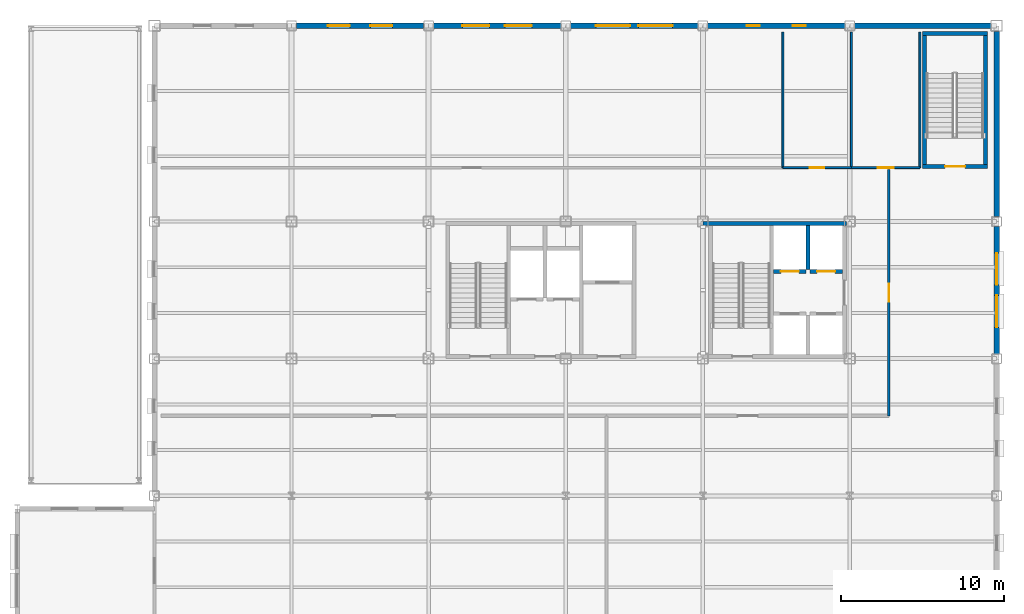
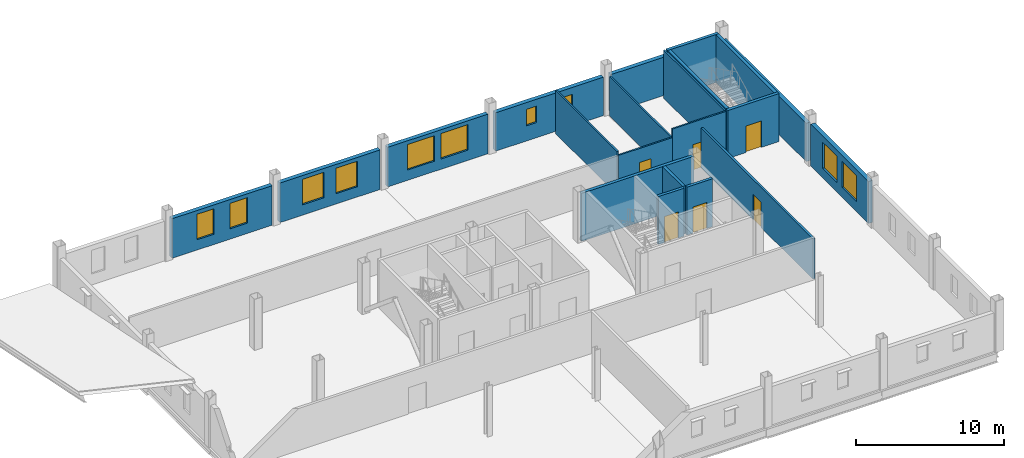
# One storey, part 66 of 75: 21 walls, 10 windows, 6 doors, 16 openings.
"""IFC4 building model written with IfcOpenShell, lengths in metres."""

from ifc_helpers import new_model, si_unit, direction, frame, frame_2d, origin, place, context, subcontext, project, spatial, rectangle, extrude, material, layer, layer_set, type_object, element, fill, save


model = new_model("IFC4")

# Units and contexts
model_context = context("Model", 3, precision=1e-05, world=origin(), true_north=direction((0.0, 1.0)))
body_context = subcontext(model_context, "Body", "Model", "MODEL_VIEW")
ifc_project = project(units=[si_unit("LENGTHUNIT", "METRE"), si_unit("AREAUNIT", "SQUARE_METRE"), si_unit("VOLUMEUNIT", "CUBIC_METRE"), si_unit("PLANEANGLEUNIT", "RADIAN"), si_unit("MASSUNIT", "GRAM", prefix="KILO")], contexts=[model_context])

# Site, building, storey
site_placement = place(None, origin())
site = spatial("IfcSite", under=ifc_project, at=site_placement, CompositionType="ELEMENT")
building_placement = place(site_placement, origin())
building = spatial("IfcBuilding", under=site, at=building_placement, Name="Yukiwa Park Conservatory and Herbarium", CompositionType="ELEMENT")
storey_placement = place(building_placement, frame((0.0, 0.0, 4.800048828125)))
storey = spatial("IfcBuildingStorey", under=building, at=storey_placement, Name="L01", CompositionType="ELEMENT", Elevation=4.800048828125)

# Wall
ifc_material_1 = material(Name="Concrete C40", Category="concrete")
ifc_layer_1 = layer(ifc_material_1, 0.219970703125)
ifc_layer_set_1 = layer_set([ifc_layer_1], Name="Concrete C40")
wall_type_1 = type_object("IfcWallType", Name="WL-CORE-RC220", PredefinedType="SHEAR", material=ifc_layer_set_1)
wall_1_placement = place(storey_placement, frame((156.43994140625, 100.25, 0.0), z_axis=(0.0, 0.0, 1.0), x_axis=(0.0, 1.0, 0.0)))
element("IfcWall", 1, at=wall_1_placement, inside=storey, type_object=wall_type_1, Name="L01 core shear wall 181", PredefinedType="SHEAR", context=body_context, shape_type="SweptSolid", body=[
    extrude(rectangle(XDim=2.699951171875, YDim=0.219970703125, at=frame_2d((1.35009765625, 0.0))), origin(), (0.0, 0.0, 1.0), 3.954833984375),
])

# Wall, opening, door
wall_2_placement = place(storey_placement, frame((154.330078125, 100.139892578125, 0.0), z_axis=(0.0, 0.0, 1.0), x_axis=(1.0, 0.0, 0.0)))
wall_2 = element("IfcWall", 2, at=wall_2_placement, inside=storey, type_object=wall_type_1, Name="L01 core shear wall 182", PredefinedType="SHEAR", context=body_context, shape_type="SweptSolid", body=[
    extrude(rectangle(XDim=2.0, YDim=0.219970703125, at=frame_2d((1.0, 0.0))), origin(), (0.0, 0.0, 1.0), 3.954833984375),
])
opening_1_placement = place(wall_2_placement, frame((0.449951171875, 0.0, 0.0)))
opening_1 = element("IfcOpeningElement", 3, at=opening_1_placement, cuts=wall_2, Name="Opening LD-01", PredefinedType="OPENING", context=body_context, shape_type="SweptSolid", body=[
    extrude(rectangle(XDim=1.10009765625, YDim=2.14990234375, at=frame_2d((0.550048828125, 1.074951171875))), frame((0.0, 0.1201171875, 0.0), z_axis=(0.0, -1.0, 0.0), x_axis=(1.0, 0.0, 0.0)), (0.0, 0.0, 1.0), 0.239990234375),
])
ifc_material_2 = material(Name="Steel Q235B", Category="steel")
door_type_1 = type_object("IfcDoorType", Name="DR-LIFT-LD1100", OperationType="SLIDING_TO_LEFT", PredefinedType="DOOR", material=ifc_material_2)
door_1_placement = place(opening_1_placement, origin())
door_1 = element("IfcDoor", 4, at=door_1_placement, inside=storey, type_object=door_type_1, Name="L01 Passenger Lift LP1 sliding landing door", OperationType="SLIDING_TO_LEFT", OverallHeight=2.14990234375, OverallWidth=1.10009765625, PredefinedType="DOOR", context=body_context, shape_type="SweptSolid", body=[
    extrude(rectangle(XDim=1.10009765625, YDim=2.14990234375, at=frame_2d((0.550048828125, 1.074951171875))), frame((0.0, 0.02490234375, 0.0), z_axis=(0.0, -1.0, 0.0), x_axis=(1.0, 0.0, 0.0)), (0.0, 0.0, 1.0), 0.050048828125),
])
fill(opening_1, door_1)

wall_3_placement = place(storey_placement, frame((156.550048828125, 100.139892578125, 0.0), z_axis=(0.0, 0.0, 1.0), x_axis=(1.0, 0.0, 0.0)))
wall_3 = element("IfcWall", 5, at=wall_3_placement, inside=storey, type_object=wall_type_1, Name="L01 core shear wall 183", PredefinedType="SHEAR", context=body_context, shape_type="SweptSolid", body=[
    extrude(rectangle(XDim=2.0, YDim=0.219970703125, at=frame_2d((1.0, 0.0))), origin(), (0.0, 0.0, 1.0), 3.954833984375),
])
opening_2_placement = place(wall_3_placement, frame((0.449951171875, 0.0, 0.0)))
opening_2 = element("IfcOpeningElement", 6, at=opening_2_placement, cuts=wall_3, Name="Opening LD-01", PredefinedType="OPENING", context=body_context, shape_type="SweptSolid", body=[
    extrude(rectangle(XDim=1.10009765625, YDim=2.14990234375, at=frame_2d((0.550048828125, 1.074951171875))), frame((0.0, 0.1201171875, 0.0), z_axis=(0.0, -1.0, 0.0), x_axis=(1.0, 0.0, 0.0)), (0.0, 0.0, 1.0), 0.239990234375),
])
door_2_placement = place(opening_2_placement, origin())
door_2 = element("IfcDoor", 7, at=door_2_placement, inside=storey, type_object=door_type_1, Name="L01 Passenger Lift LP2 sliding landing door", OperationType="SLIDING_TO_LEFT", OverallHeight=2.14990234375, OverallWidth=1.10009765625, PredefinedType="DOOR", context=body_context, shape_type="SweptSolid", body=[
    extrude(rectangle(XDim=1.10009765625, YDim=2.14990234375, at=frame_2d((0.550048828125, 1.074951171875))), frame((0.0, 0.02490234375, 0.0), z_axis=(0.0, -1.0, 0.0), x_axis=(1.0, 0.0, 0.0)), (0.0, 0.0, 1.0), 0.050048828125),
])
fill(opening_2, door_2)

# Wall
ifc_material_3 = material(Name="Concrete C50", Category="concrete")
ifc_layer_2 = layer(ifc_material_3, 0.239990234375)
ifc_layer_set_2 = layer_set([ifc_layer_2], Name="Concrete C50")
wall_type_2 = type_object("IfcWallType", Name="WL-CORE-RC240", PredefinedType="SHEAR", material=ifc_layer_set_2)
wall_4_placement = place(storey_placement, frame((150.02001953125, 103.070068359375, 0.0), z_axis=(0.0, 0.0, 1.0), x_axis=(1.0, 0.0, 0.0)))
element("IfcWall", 8, at=wall_4_placement, inside=storey, type_object=wall_type_2, Name="L01 core shear wall 177", PredefinedType="SHEAR", context=body_context, shape_type="SweptSolid", body=[
    extrude(rectangle(XDim=8.77001953125, YDim=0.239990234375, at=frame_2d((4.385009765625, 0.0))), origin(), (0.0, 0.0, 1.0), 3.954833984375),
])

# Wall, opening, door
wall_5_placement = place(storey_placement, frame((163.449951171875, 106.580078125, 0.0), z_axis=(0.0, 0.0, 1.0), x_axis=(1.0, 0.0, 0.0)))
wall_5 = element("IfcWall", 9, at=wall_5_placement, inside=storey, type_object=wall_type_2, Name="L01 core shear wall 195", PredefinedType="SHEAR", context=body_context, shape_type="SweptSolid", body=[
    extrude(rectangle(XDim=3.989990234375, YDim=0.239990234375, at=frame_2d((1.9951171875, 0.0))), origin(), (0.0, 0.0, 1.0), 3.954833984375),
])
opening_3_placement = place(wall_5_placement, frame((1.39501953125, 0.0, 0.0)))
opening_3 = element("IfcOpeningElement", 10, at=opening_3_placement, cuts=wall_5, Name="Opening SD-01", PredefinedType="OPENING", context=body_context, shape_type="SweptSolid", body=[
    extrude(rectangle(XDim=1.219970703125, YDim=2.179931640625, at=frame_2d((0.60986328125, 1.08984375))), frame((0.0, 0.1298828125, 0.0), z_axis=(0.0, -1.0, 0.0), x_axis=(1.0, 0.0, 0.0)), (0.0, 0.0, 1.0), 0.260009765625),
])
ifc_material_4 = material(Name="Steel Q235B", Category="steel")
door_type_2 = type_object("IfcDoorType", Name="DR-STAIR-FD90-1200", OperationType="SINGLE_SWING_LEFT", PredefinedType="DOOR", material=ifc_material_4)
door_3_placement = place(opening_3_placement, origin())
door_3 = element("IfcDoor", 11, at=door_3_placement, inside=storey, type_object=door_type_2, Name="L01 Stairwell ST-T3 fire door", OperationType="SINGLE_SWING_LEFT", OverallHeight=2.179931640625, OverallWidth=1.219970703125, PredefinedType="DOOR", context=body_context, shape_type="SweptSolid", body=[
    extrude(rectangle(XDim=1.219970703125, YDim=2.179931640625, at=frame_2d((0.60986328125, 1.08984375))), frame((0.0, 0.02490234375, 0.0), z_axis=(0.0, -1.0, 0.0), x_axis=(1.0, 0.0, 0.0)), (0.0, 0.0, 1.0), 0.050048828125),
])
fill(opening_3, door_3)

# Walls
wall_6_placement = place(storey_placement, frame((163.449951171875, 114.719970703125, 0.0), z_axis=(0.0, 0.0, 1.0), x_axis=(1.0, 0.0, 0.0)))
element("IfcWall", 12, at=wall_6_placement, inside=storey, type_object=wall_type_2, Name="L01 core shear wall 196", PredefinedType="SHEAR", context=body_context, shape_type="SweptSolid", body=[
    extrude(rectangle(XDim=3.989990234375, YDim=0.239990234375, at=frame_2d((1.9951171875, 0.0))), origin(), (0.0, 0.0, 1.0), 3.954833984375),
])
for number, where, z_axis, x_axis, name in (
    (13, (163.570068359375, 106.699951171875, 0.0), (0.0, 0.0, 1.0), (0.0, 1.0, 0.0), "L01 core shear wall 197"),
    (14, (167.320068359375, 106.699951171875, 0.0), (0.0, 0.0, 1.0), (0.0, 1.0, 0.0), "L01 core shear wall 198"),
):
    element("IfcWall", number, at=place(storey_placement, frame(where, z_axis=z_axis, x_axis=x_axis)), inside=storey, type_object=wall_type_2, Name=name, PredefinedType="SHEAR", context=body_context, shape_type="SweptSolid", body=[
        extrude(rectangle(XDim=7.900146484375, YDim=0.239990234375, at=frame_2d((3.9501953125, 0.0))), origin(), (0.0, 0.0, 1.0), 3.954833984375),
    ])

# Wall, openings, windows
ifc_material_5 = material(Name="Pale Granite Cladding", Category="masonry")
ifc_layer_3 = layer(ifc_material_5, 0.320068359375)
ifc_layer_set_3 = layer_set([ifc_layer_3], Name="Pale Granite Cladding")
wall_type_3 = type_object("IfcWallType", Name="WL-EXT-GRAN-320", PredefinedType="SOLIDWALL", material=ifc_layer_set_3)
wall_7_placement = place(storey_placement, frame((168.0, 95.10009765625, 0.0), z_axis=(0.0, 0.0, 1.0), x_axis=(0.0, 1.0, 0.0)))
wall_7 = element("IfcWall", 15, at=wall_7_placement, inside=storey, type_object=wall_type_3, Name="L01 exterior envelope wall 167", PredefinedType="SOLIDWALL", context=body_context, shape_type="SweptSolid", body=[
    extrude(rectangle(XDim=7.7998046875, YDim=0.320068359375, at=frame_2d((3.89990234375, 0.0))), origin(), (0.0, 0.0, 1.0), 3.454833984375),
])
opening_4_placement = place(wall_7_placement, frame((1.625, 0.0, 0.800048828125)))
opening_4 = element("IfcOpeningElement", 16, at=opening_4_placement, cuts=wall_7, Name="Opening W-25", PredefinedType="OPENING", context=body_context, shape_type="SweptSolid", body=[
    extrude(rectangle(XDim=1.949951171875, YDim=2.14990234375, at=frame_2d((0.97509765625, 1.074951171875))), frame((0.0, 0.169921875, 0.0), z_axis=(0.0, -1.0, 0.0), x_axis=(1.0, 0.0, 0.0)), (0.0, 0.0, 1.0), 0.340087890625),
])
opening_5_placement = place(wall_7_placement, frame((4.22509765625, 0.0, 0.800048828125)))
opening_5 = element("IfcOpeningElement", 17, at=opening_5_placement, cuts=wall_7, Name="Opening W-25", PredefinedType="OPENING", context=body_context, shape_type="SweptSolid", body=[
    extrude(rectangle(XDim=1.949951171875, YDim=2.14990234375, at=frame_2d((0.97509765625, 1.074951171875))), frame((0.0, 0.169921875, 0.0), z_axis=(0.0, -1.0, 0.0), x_axis=(1.0, 0.0, 0.0)), (0.0, 0.0, 1.0), 0.340087890625),
])
ifc_material_6 = material(Name="Triple Low-E Insulated Glass", Category="glass")
window_type_1 = type_object("IfcWindowType", Name="WN-TW-1950X2150", PartitioningType="SINGLE_PANEL", PredefinedType="WINDOW", material=ifc_material_6)
window_1_placement = place(opening_4_placement, origin())
window_1 = element("IfcWindow", 18, at=window_1_placement, inside=storey, type_object=window_type_1, Name="L01 deep-reveal triple-glazed window 72", OverallHeight=2.14990234375, OverallWidth=1.949951171875, PartitioningType="SINGLE_PANEL", PredefinedType="WINDOW", context=body_context, shape_type="SweptSolid", body=[
    extrude(rectangle(XDim=1.949951171875, YDim=2.14990234375, at=frame_2d((0.97509765625, 1.074951171875))), frame((0.0, 0.030029296875, 0.0), z_axis=(0.0, -1.0, 0.0), x_axis=(1.0, 0.0, 0.0)), (0.0, 0.0, 1.0), 0.06005859375),
])
fill(opening_4, window_1)
window_2_placement = place(opening_5_placement, origin())
window_2 = element("IfcWindow", 19, at=window_2_placement, inside=storey, type_object=window_type_1, Name="L01 deep-reveal triple-glazed window 73", OverallHeight=2.14990234375, OverallWidth=1.949951171875, PartitioningType="SINGLE_PANEL", PredefinedType="WINDOW", context=body_context, shape_type="SweptSolid", body=[
    extrude(rectangle(XDim=1.949951171875, YDim=2.14990234375, at=frame_2d((0.97509765625, 1.074951171875))), frame((0.0, 0.030029296875, 0.0), z_axis=(0.0, -1.0, 0.0), x_axis=(1.0, 0.0, 0.0)), (0.0, 0.0, 1.0), 0.06005859375),
])
fill(opening_5, window_2)

# Walls
wall_8_placement = place(storey_placement, frame((168.0, 103.5, 0.0), z_axis=(0.0, 0.0, 1.0), x_axis=(0.0, 1.0, 0.0)))
element("IfcWall", 20, at=wall_8_placement, inside=storey, type_object=wall_type_3, Name="L01 exterior envelope wall 168", PredefinedType="SOLIDWALL", context=body_context, shape_type="SweptSolid", body=[
    extrude(rectangle(XDim=11.35009765625, YDim=0.320068359375, at=frame_2d((5.675048828125, 0.0))), origin(), (0.0, 0.0, 1.0), 3.162841796875),
])
wall_9_placement = place(storey_placement, frame((167.64990234375, 115.199951171875, 0.0), z_axis=(0.0, 0.0, 1.0), x_axis=(-1.0, 0.0, 0.0)))
element("IfcWall", 21, at=wall_9_placement, inside=storey, type_object=wall_type_3, Name="L01 exterior envelope wall 169", PredefinedType="SOLIDWALL", context=body_context, shape_type="SweptSolid", body=[
    extrude(rectangle(XDim=8.349853515625, YDim=0.320068359375, at=frame_2d((4.1748046875, 0.0))), origin(), (0.0, 0.0, 1.0), 3.162841796875),
])

# Wall, openings, windows
wall_10_placement = place(storey_placement, frame((158.699951171875, 115.199951171875, 0.0), z_axis=(0.0, 0.0, 1.0), x_axis=(-1.0, 0.0, 0.0)))
wall_10 = element("IfcWall", 22, at=wall_10_placement, inside=storey, type_object=wall_type_3, Name="L01 exterior envelope wall 170", PredefinedType="SOLIDWALL", context=body_context, shape_type="SweptSolid", body=[
    extrude(rectangle(XDim=8.39990234375, YDim=0.320068359375, at=frame_2d((4.199951171875, 0.0))), origin(), (0.0, 0.0, 1.0), 3.162841796875),
])
opening_6_placement = place(wall_10_placement, frame((2.39990234375, 0.0, 1.25)))
opening_6 = element("IfcOpeningElement", 23, at=opening_6_placement, cuts=wall_10, Name="Opening W-20", PredefinedType="OPENING", context=body_context, shape_type="SweptSolid", body=[
    extrude(rectangle(XDim=0.800048828125, YDim=1.35009765625, at=frame_2d((0.39990234375, 0.675048828125))), frame((0.0, 0.169921875, 0.0), z_axis=(0.0, -1.0, 0.0), x_axis=(1.0, 0.0, 0.0)), (0.0, 0.0, 1.0), 0.340087890625),
])
opening_7_placement = place(wall_10_placement, frame((5.199951171875, 0.0, 1.25)))
opening_7 = element("IfcOpeningElement", 24, at=opening_7_placement, cuts=wall_10, Name="Opening W-20", PredefinedType="OPENING", context=body_context, shape_type="SweptSolid", body=[
    extrude(rectangle(XDim=0.800048828125, YDim=1.35009765625, at=frame_2d((0.39990234375, 0.675048828125))), frame((0.0, 0.169921875, 0.0), z_axis=(0.0, -1.0, 0.0), x_axis=(1.0, 0.0, 0.0)), (0.0, 0.0, 1.0), 0.340087890625),
])
ifc_material_7 = material(Name="Triple Low-E Insulated Glass", Category="glass")
window_type_2 = type_object("IfcWindowType", Name="WN-WC-0800X1350", PartitioningType="SINGLE_PANEL", PredefinedType="WINDOW", material=ifc_material_7)
window_3_placement = place(opening_6_placement, origin())
window_3 = element("IfcWindow", 25, at=window_3_placement, inside=storey, type_object=window_type_2, Name="L01 deep-reveal triple-glazed window 74", OverallHeight=1.35009765625, OverallWidth=0.800048828125, PartitioningType="SINGLE_PANEL", PredefinedType="WINDOW", context=body_context, shape_type="SweptSolid", body=[
    extrude(rectangle(XDim=0.800048828125, YDim=1.35009765625, at=frame_2d((0.39990234375, 0.675048828125))), frame((0.0, 0.030029296875, 0.0), z_axis=(0.0, -1.0, 0.0), x_axis=(1.0, 0.0, 0.0)), (0.0, 0.0, 1.0), 0.06005859375),
])
fill(opening_6, window_3)
window_4_placement = place(opening_7_placement, origin())
window_4 = element("IfcWindow", 26, at=window_4_placement, inside=storey, type_object=window_type_2, Name="L01 deep-reveal triple-glazed window 75", OverallHeight=1.35009765625, OverallWidth=0.800048828125, PartitioningType="SINGLE_PANEL", PredefinedType="WINDOW", context=body_context, shape_type="SweptSolid", body=[
    extrude(rectangle(XDim=0.800048828125, YDim=1.35009765625, at=frame_2d((0.39990234375, 0.675048828125))), frame((0.0, 0.030029296875, 0.0), z_axis=(0.0, -1.0, 0.0), x_axis=(1.0, 0.0, 0.0)), (0.0, 0.0, 1.0), 0.06005859375),
])
fill(opening_7, window_4)

wall_11_placement = place(storey_placement, frame((149.699951171875, 115.199951171875, 0.0), z_axis=(0.0, 0.0, 1.0), x_axis=(-1.0, 0.0, 0.0)))
wall_11 = element("IfcWall", 27, at=wall_11_placement, inside=storey, type_object=wall_type_3, Name="L01 exterior envelope wall 171", PredefinedType="SOLIDWALL", context=body_context, shape_type="SweptSolid", body=[
    extrude(rectangle(XDim=7.800048828125, YDim=0.320068359375, at=frame_2d((3.89990234375, 0.0))), origin(), (0.0, 0.0, 1.0), 3.262939453125),
])
opening_8_placement = place(wall_11_placement, frame((1.550048828125, 0.0, 0.85009765625)))
opening_8 = element("IfcOpeningElement", 28, at=opening_8_placement, cuts=wall_11, Name="Opening W-08", PredefinedType="OPENING", context=body_context, shape_type="SweptSolid", body=[
    extrude(rectangle(XDim=2.10009765625, YDim=2.10009765625, at=frame_2d((1.050048828125, 1.050048828125))), frame((0.0, 0.169921875, 0.0), z_axis=(0.0, -1.0, 0.0), x_axis=(1.0, 0.0, 0.0)), (0.0, 0.0, 1.0), 0.340087890625),
])
opening_9_placement = place(wall_11_placement, frame((4.14990234375, 0.0, 0.85009765625)))
opening_9 = element("IfcOpeningElement", 29, at=opening_9_placement, cuts=wall_11, Name="Opening W-08", PredefinedType="OPENING", context=body_context, shape_type="SweptSolid", body=[
    extrude(rectangle(XDim=2.10009765625, YDim=2.10009765625, at=frame_2d((1.050048828125, 1.050048828125))), frame((0.0, 0.169921875, 0.0), z_axis=(0.0, -1.0, 0.0), x_axis=(1.0, 0.0, 0.0)), (0.0, 0.0, 1.0), 0.340087890625),
])
ifc_material_8 = material(Name="Triple Low-E Insulated Glass", Category="glass")
window_type_3 = type_object("IfcWindowType", Name="WN-TW-2100X2100", PartitioningType="SINGLE_PANEL", PredefinedType="WINDOW", material=ifc_material_8)
window_5_placement = place(opening_8_placement, origin())
window_5 = element("IfcWindow", 30, at=window_5_placement, inside=storey, type_object=window_type_3, Name="L01 deep-reveal triple-glazed window 76", OverallHeight=2.10009765625, OverallWidth=2.10009765625, PartitioningType="SINGLE_PANEL", PredefinedType="WINDOW", context=body_context, shape_type="SweptSolid", body=[
    extrude(rectangle(XDim=2.10009765625, YDim=2.10009765625, at=frame_2d((1.050048828125, 1.050048828125))), frame((0.0, 0.030029296875, 0.0), z_axis=(0.0, -1.0, 0.0), x_axis=(1.0, 0.0, 0.0)), (0.0, 0.0, 1.0), 0.06005859375),
])
fill(opening_8, window_5)
window_6_placement = place(opening_9_placement, origin())
window_6 = element("IfcWindow", 31, at=window_6_placement, inside=storey, type_object=window_type_3, Name="L01 deep-reveal triple-glazed window 77", OverallHeight=2.10009765625, OverallWidth=2.10009765625, PartitioningType="SINGLE_PANEL", PredefinedType="WINDOW", context=body_context, shape_type="SweptSolid", body=[
    extrude(rectangle(XDim=2.10009765625, YDim=2.10009765625, at=frame_2d((1.050048828125, 1.050048828125))), frame((0.0, 0.030029296875, 0.0), z_axis=(0.0, -1.0, 0.0), x_axis=(1.0, 0.0, 0.0)), (0.0, 0.0, 1.0), 0.06005859375),
])
fill(opening_9, window_6)

wall_12_placement = place(storey_placement, frame((141.300048828125, 115.199951171875, 0.0), z_axis=(0.0, 0.0, 1.0), x_axis=(-1.0, 0.0, 0.0)))
wall_12 = element("IfcWall", 32, at=wall_12_placement, inside=storey, type_object=wall_type_3, Name="L01 exterior envelope wall 172", PredefinedType="SOLIDWALL", context=body_context, shape_type="SweptSolid", body=[
    extrude(rectangle(XDim=7.800048828125, YDim=0.320068359375, at=frame_2d((3.89990234375, 0.0))), origin(), (0.0, 0.0, 1.0), 3.262939453125),
])
opening_10_placement = place(wall_12_placement, frame((1.77490234375, 0.0, 0.85009765625)))
opening_10 = element("IfcOpeningElement", 33, at=opening_10_placement, cuts=wall_12, Name="Opening W-06", PredefinedType="OPENING", context=body_context, shape_type="SweptSolid", body=[
    extrude(rectangle(XDim=1.64990234375, YDim=2.10009765625, at=frame_2d((0.824951171875, 1.050048828125))), frame((0.0, 0.169921875, 0.0), z_axis=(0.0, -1.0, 0.0), x_axis=(1.0, 0.0, 0.0)), (0.0, 0.0, 1.0), 0.340087890625),
])
opening_11_placement = place(wall_12_placement, frame((4.375, 0.0, 0.85009765625)))
opening_11 = element("IfcOpeningElement", 34, at=opening_11_placement, cuts=wall_12, Name="Opening W-06", PredefinedType="OPENING", context=body_context, shape_type="SweptSolid", body=[
    extrude(rectangle(XDim=1.64990234375, YDim=2.10009765625, at=frame_2d((0.824951171875, 1.050048828125))), frame((0.0, 0.169921875, 0.0), z_axis=(0.0, -1.0, 0.0), x_axis=(1.0, 0.0, 0.0)), (0.0, 0.0, 1.0), 0.340087890625),
])
ifc_material_9 = material(Name="Triple Low-E Insulated Glass", Category="glass")
window_type_4 = type_object("IfcWindowType", Name="WN-TW-1650X2100", PartitioningType="SINGLE_PANEL", PredefinedType="WINDOW", material=ifc_material_9)
window_7_placement = place(opening_10_placement, origin())
window_7 = element("IfcWindow", 35, at=window_7_placement, inside=storey, type_object=window_type_4, Name="L01 deep-reveal triple-glazed window 78", OverallHeight=2.10009765625, OverallWidth=1.64990234375, PartitioningType="SINGLE_PANEL", PredefinedType="WINDOW", context=body_context, shape_type="SweptSolid", body=[
    extrude(rectangle(XDim=1.64990234375, YDim=2.10009765625, at=frame_2d((0.824951171875, 1.050048828125))), frame((0.0, 0.030029296875, 0.0), z_axis=(0.0, -1.0, 0.0), x_axis=(1.0, 0.0, 0.0)), (0.0, 0.0, 1.0), 0.06005859375),
])
fill(opening_10, window_7)
window_8_placement = place(opening_11_placement, origin())
window_8 = element("IfcWindow", 36, at=window_8_placement, inside=storey, type_object=window_type_4, Name="L01 deep-reveal triple-glazed window 79", OverallHeight=2.10009765625, OverallWidth=1.64990234375, PartitioningType="SINGLE_PANEL", PredefinedType="WINDOW", context=body_context, shape_type="SweptSolid", body=[
    extrude(rectangle(XDim=1.64990234375, YDim=2.10009765625, at=frame_2d((0.824951171875, 1.050048828125))), frame((0.0, 0.030029296875, 0.0), z_axis=(0.0, -1.0, 0.0), x_axis=(1.0, 0.0, 0.0)), (0.0, 0.0, 1.0), 0.06005859375),
])
fill(opening_11, window_8)

wall_13_placement = place(storey_placement, frame((132.89990234375, 115.199951171875, 0.0), z_axis=(0.0, 0.0, 1.0), x_axis=(-1.0, 0.0, 0.0)))
wall_13 = element("IfcWall", 37, at=wall_13_placement, inside=storey, type_object=wall_type_3, Name="L01 exterior envelope wall 173", PredefinedType="SOLIDWALL", context=body_context, shape_type="SweptSolid", body=[
    extrude(rectangle(XDim=7.7998046875, YDim=0.320068359375, at=frame_2d((3.89990234375, 0.0))), origin(), (0.0, 0.0, 1.0), 3.262939453125),
])
opening_12_placement = place(wall_13_placement, frame((1.925048828125, 0.0, 0.85009765625)))
opening_12 = element("IfcOpeningElement", 38, at=opening_12_placement, cuts=wall_13, Name="Opening W-04", PredefinedType="OPENING", context=body_context, shape_type="SweptSolid", body=[
    extrude(rectangle(XDim=1.35009765625, YDim=2.10009765625, at=frame_2d((0.675048828125, 1.050048828125))), frame((0.0, 0.169921875, 0.0), z_axis=(0.0, -1.0, 0.0), x_axis=(1.0, 0.0, 0.0)), (0.0, 0.0, 1.0), 0.340087890625),
])
opening_13_placement = place(wall_13_placement, frame((4.52490234375, 0.0, 0.85009765625)))
opening_13 = element("IfcOpeningElement", 39, at=opening_13_placement, cuts=wall_13, Name="Opening W-04", PredefinedType="OPENING", context=body_context, shape_type="SweptSolid", body=[
    extrude(rectangle(XDim=1.35009765625, YDim=2.10009765625, at=frame_2d((0.675048828125, 1.050048828125))), frame((0.0, 0.169921875, 0.0), z_axis=(0.0, -1.0, 0.0), x_axis=(1.0, 0.0, 0.0)), (0.0, 0.0, 1.0), 0.340087890625),
])
ifc_material_10 = material(Name="Triple Low-E Insulated Glass", Category="glass")
window_type_5 = type_object("IfcWindowType", Name="WN-TW-1350X2100", PartitioningType="SINGLE_PANEL", PredefinedType="WINDOW", material=ifc_material_10)
window_9_placement = place(opening_12_placement, origin())
window_9 = element("IfcWindow", 40, at=window_9_placement, inside=storey, type_object=window_type_5, Name="L01 deep-reveal triple-glazed window 80", OverallHeight=2.10009765625, OverallWidth=1.35009765625, PartitioningType="SINGLE_PANEL", PredefinedType="WINDOW", context=body_context, shape_type="SweptSolid", body=[
    extrude(rectangle(XDim=1.35009765625, YDim=2.10009765625, at=frame_2d((0.675048828125, 1.050048828125))), frame((0.0, 0.030029296875, 0.0), z_axis=(0.0, -1.0, 0.0), x_axis=(1.0, 0.0, 0.0)), (0.0, 0.0, 1.0), 0.06005859375),
])
fill(opening_12, window_9)
window_10_placement = place(opening_13_placement, origin())
window_10 = element("IfcWindow", 41, at=window_10_placement, inside=storey, type_object=window_type_5, Name="L01 deep-reveal triple-glazed window 81", OverallHeight=2.10009765625, OverallWidth=1.35009765625, PartitioningType="SINGLE_PANEL", PredefinedType="WINDOW", context=body_context, shape_type="SweptSolid", body=[
    extrude(rectangle(XDim=1.35009765625, YDim=2.10009765625, at=frame_2d((0.675048828125, 1.050048828125))), frame((0.0, 0.030029296875, 0.0), z_axis=(0.0, -1.0, 0.0), x_axis=(1.0, 0.0, 0.0)), (0.0, 0.0, 1.0), 0.06005859375),
])
fill(opening_13, window_10)

# Wall, opening, door
ifc_material_11 = material(Name="Gypsum Board Partition", Category="gypsum")
ifc_layer_4 = layer(ifc_material_11, 0.159912109375)
ifc_layer_set_4 = layer_set([ifc_layer_4], Name="Gypsum Board Partition")
wall_type_4 = type_object("IfcWallType", Name="WL-PART-GYP-160", PredefinedType="PARTITIONING", material=ifc_layer_set_4)
wall_14_placement = place(storey_placement, frame((161.39990234375, 91.300048828125, 0.0), z_axis=(0.0, 0.0, 1.0), x_axis=(0.0, 1.0, 0.0)))
wall_14 = element("IfcWall", 42, at=wall_14_placement, inside=storey, type_object=wall_type_4, Name="L01 interior partition wall 235", PredefinedType="PARTITIONING", context=body_context, shape_type="SweptSolid", body=[
    extrude(rectangle(XDim=15.099853515625, YDim=0.159912109375, at=frame_2d((7.5498046875, 0.0))), origin(), (0.0, 0.0, 1.0), 3.304931640625),
])
opening_14_placement = place(wall_14_placement, frame((7.0, 0.0, 0.0)))
opening_14 = element("IfcOpeningElement", 43, at=opening_14_placement, cuts=wall_14, Name="Opening ID-11", PredefinedType="OPENING", context=body_context, shape_type="SweptSolid", body=[
    extrude(rectangle(XDim=1.080078125, YDim=2.080078125, at=frame_2d((0.5400390625, 1.0400390625))), frame((0.0, 0.08984375, 0.0), z_axis=(0.0, -1.0, 0.0), x_axis=(1.0, 0.0, 0.0)), (0.0, 0.0, 1.0), 0.179931640625),
])
ifc_material_12 = material(Name="Charred Larch Cladding", Category="wood")
door_type_3 = type_object("IfcDoorType", Name="DR-INT-1100", OperationType="SINGLE_SWING_RIGHT", PredefinedType="DOOR", material=ifc_material_12)
door_4_placement = place(opening_14_placement, origin())
door_4 = element("IfcDoor", 44, at=door_4_placement, inside=storey, type_object=door_type_3, Name="L01 East Study Room door", OperationType="SINGLE_SWING_RIGHT", OverallHeight=2.080078125, OverallWidth=1.080078125, PredefinedType="DOOR", context=body_context, shape_type="SweptSolid", body=[
    extrude(rectangle(XDim=1.080078125, YDim=2.080078125, at=frame_2d((0.5400390625, 1.0400390625))), frame((0.0, 0.02490234375, 0.0), z_axis=(0.0, -1.0, 0.0), x_axis=(1.0, 0.0, 0.0)), (0.0, 0.0, 1.0), 0.050048828125),
])
fill(opening_14, door_4)

ifc_material_13 = material(Name="Gypsum Board Partition", Category="gypsum")
ifc_layer_5 = layer(ifc_material_13, 0.1201171875)
ifc_layer_set_5 = layer_set([ifc_layer_5], Name="Gypsum Board Partition")
wall_type_5 = type_object("IfcWallType", Name="WL-PART-WET-150", PredefinedType="PARTITIONING", material=ifc_layer_set_5)
wall_15_placement = place(storey_placement, frame((154.89990234375, 106.5, 0.0), z_axis=(0.0, 0.0, 1.0), x_axis=(1.0, 0.0, 0.0)))
wall_15 = element("IfcWall", 45, at=wall_15_placement, inside=storey, type_object=wall_type_5, Name="L01 interior partition wall 237", PredefinedType="PARTITIONING", context=body_context, shape_type="SweptSolid", body=[
    extrude(rectangle(XDim=4.2001953125, YDim=0.1201171875, at=frame_2d((2.10009765625, 0.0))), origin(), (0.0, 0.0, 1.0), 3.2548828125),
])
opening_15_placement = place(wall_15_placement, frame((1.64990234375, 0.0, 0.0)))
opening_15 = element("IfcOpeningElement", 46, at=opening_15_placement, cuts=wall_15, Name="Opening ID-09", PredefinedType="OPENING", context=body_context, shape_type="SweptSolid", body=[
    extrude(rectangle(XDim=0.89990234375, YDim=2.10009765625, at=frame_2d((0.449951171875, 1.050048828125))), frame((0.0, 0.070068359375, 0.0), z_axis=(0.0, -1.0, 0.0), x_axis=(1.0, 0.0, 0.0)), (0.0, 0.0, 1.0), 0.14013671875),
])
ifc_material_14 = material(Name="Charred Larch Cladding", Category="wood")
door_type_4 = type_object("IfcDoorType", Name="DR-INT-900", OperationType="SINGLE_SWING_LEFT", PredefinedType="DOOR", material=ifc_material_14)
door_5_placement = place(opening_15_placement, origin())
door_5 = element("IfcDoor", 47, at=door_5_placement, inside=storey, type_object=door_type_4, Name="L01 Staff WC door", OperationType="SINGLE_SWING_LEFT", OverallHeight=2.10009765625, OverallWidth=0.89990234375, PredefinedType="DOOR", context=body_context, shape_type="SweptSolid", body=[
    extrude(rectangle(XDim=0.89990234375, YDim=2.10009765625, at=frame_2d((0.449951171875, 1.050048828125))), frame((0.0, 0.02490234375, 0.0), z_axis=(0.0, -1.0, 0.0), x_axis=(1.0, 0.0, 0.0)), (0.0, 0.0, 1.0), 0.050048828125),
])
fill(opening_15, door_5)

wall_16_placement = place(storey_placement, frame((159.10009765625, 106.5, 0.0), z_axis=(0.0, 0.0, 1.0), x_axis=(1.0, 0.0, 0.0)))
wall_16 = element("IfcWall", 48, at=wall_16_placement, inside=storey, type_object=wall_type_5, Name="L01 interior partition wall 238", PredefinedType="PARTITIONING", context=body_context, shape_type="SweptSolid", body=[
    extrude(rectangle(XDim=4.199951171875, YDim=0.1201171875, at=frame_2d((2.10009765625, 0.0))), origin(), (0.0, 0.0, 1.0), 3.954833984375),
])
opening_16_placement = place(wall_16_placement, frame((1.60009765625, 0.0, 0.0)))
opening_16 = element("IfcOpeningElement", 49, at=opening_16_placement, cuts=wall_16, Name="Opening ID-10", PredefinedType="OPENING", context=body_context, shape_type="SweptSolid", body=[
    extrude(rectangle(XDim=1.0, YDim=2.10009765625, at=frame_2d((0.5, 1.050048828125))), frame((0.0, 0.070068359375, 0.0), z_axis=(0.0, -1.0, 0.0), x_axis=(1.0, 0.0, 0.0)), (0.0, 0.0, 1.0), 0.14013671875),
])
ifc_material_15 = material(Name="Charred Larch Cladding", Category="wood")
door_type_5 = type_object("IfcDoorType", Name="DR-ACC-1000", OperationType="SINGLE_SWING_LEFT", PredefinedType="DOOR", material=ifc_material_15)
door_6_placement = place(opening_16_placement, origin())
door_6 = element("IfcDoor", 50, at=door_6_placement, inside=storey, type_object=door_type_5, Name="L01 Accessible WC door", OperationType="SINGLE_SWING_LEFT", OverallHeight=2.10009765625, OverallWidth=1.0, PredefinedType="DOOR", context=body_context, shape_type="SweptSolid", body=[
    extrude(rectangle(XDim=1.0, YDim=2.10009765625, at=frame_2d((0.5, 1.050048828125))), frame((0.0, 0.02490234375, 0.0), z_axis=(0.0, -1.0, 0.0), x_axis=(1.0, 0.0, 0.0)), (0.0, 0.0, 1.0), 0.050048828125),
])
fill(opening_16, door_6)

# Walls
wall_17_placement = place(storey_placement, frame((154.89990234375, 106.5, 0.0), z_axis=(0.0, 0.0, 1.0), x_axis=(0.0, 1.0, 0.0)))
element("IfcWall", 51, at=wall_17_placement, inside=storey, type_object=wall_type_5, Name="L01 interior partition wall 239", PredefinedType="PARTITIONING", context=body_context, shape_type="SweptSolid", body=[
    extrude(rectangle(XDim=8.300048828125, YDim=0.1201171875, at=frame_2d((4.14990234375, 0.0))), origin(), (0.0, 0.0, 1.0), 3.558837890625),
])
wall_18_placement = place(storey_placement, frame((159.10009765625, 106.5, 0.0), z_axis=(0.0, 0.0, 1.0), x_axis=(0.0, 1.0, 0.0)))
element("IfcWall", 52, at=wall_18_placement, inside=storey, type_object=wall_type_5, Name="L01 interior partition wall 240", PredefinedType="PARTITIONING", context=body_context, shape_type="SweptSolid", body=[
    extrude(rectangle(XDim=8.300048828125, YDim=0.1201171875, at=frame_2d((4.14990234375, 0.0))), origin(), (0.0, 0.0, 1.0), 3.2548828125),
])
wall_19_placement = place(storey_placement, frame((163.300048828125, 106.5, 0.0), z_axis=(0.0, 0.0, 1.0), x_axis=(0.0, 1.0, 0.0)))
element("IfcWall", 53, at=wall_19_placement, inside=storey, type_object=wall_type_5, Name="L01 interior partition wall 241", PredefinedType="PARTITIONING", context=body_context, shape_type="SweptSolid", body=[
    extrude(rectangle(XDim=8.300048828125, YDim=0.1201171875, at=frame_2d((4.14990234375, 0.0))), origin(), (0.0, 0.0, 1.0), 3.954833984375),
])

save(model, "model.ifc")
